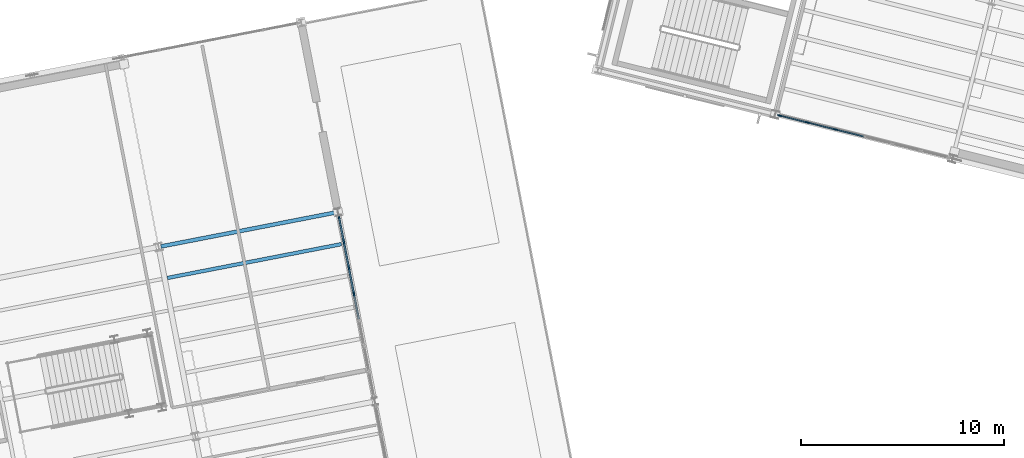
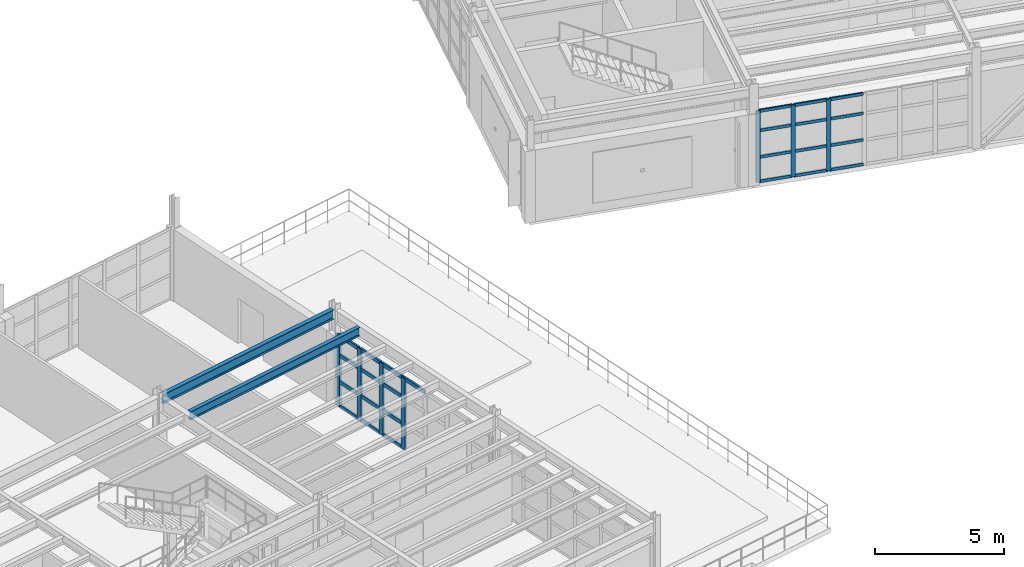
# One storey, part 25 of 109: 32 members, 2 beams, 2 elements without a shape of their own.
"""IFC4 building model written with IfcOpenShell, lengths in metres."""

import ifcopenshell
import ifcopenshell.guid

model = None  # the IFC model being written
_history = None  # IfcOwnerHistory: only IFC2X3 demands one
_inside = {}  # id of a spatial element -> (the spatial element, [elements in it])
_under = {}  # id of a project, library or spatial element -> (it, [spatial elements below it])
_declared = {}  # id of a project -> (the project, [libraries it declares])
_typed = {}  # id of a type object -> (the type object, [elements of that type])
_made_of = {}  # id of a material, layer set ... -> (it, [elements and type objects made of it])


def new_model(schema):
    """Start an empty IFC model of exactly this schema.

    Asked for "IFC4X3", IfcOpenShell would pick the latest addendum, in which some entities
    have other attributes; the version numbers below select the first issue.
    IFC2X3 requires an IfcOwnerHistory on every rooted entity: one is made here for all.
    """
    global model, _history
    if schema == "IFC4X3":
        model = ifcopenshell.file(schema_version=(4, 3, 0, 0))
    else:
        model = ifcopenshell.file(schema=schema)
    _inside.clear()
    _under.clear()
    _declared.clear()
    _typed.clear()
    _made_of.clear()
    _history = None
    if model.schema == "IFC2X3":
        org = make("IfcOrganization", Name="unknown")
        user = make(
            "IfcPersonAndOrganization",
            ThePerson=make("IfcPerson", FamilyName="unknown"),
            TheOrganization=org,
        )
        app = make(
            "IfcApplication",
            ApplicationDeveloper=org,
            Version="unknown",
            ApplicationFullName="unknown",
            ApplicationIdentifier="unknown",
        )
        _history = make(
            "IfcOwnerHistory",
            OwningUser=user,
            OwningApplication=app,
            ChangeAction="ADDED",
            CreationDate=0,
        )
    return model


def make(cls, **values):
    """One entity of the class cls with the attributes given. An attribute that is None is left unset."""
    return model.create_entity(
        cls, **{name: value for name, value in values.items() if value is not None}
    )


def rooted(cls, **values):
    """An entity with a GlobalId (a new one), such as an element, a storey or a relation."""
    return make(cls, GlobalId=ifcopenshell.guid.new(), OwnerHistory=_history, **values)


def si_unit(unit_type, name, prefix=None):
    """IfcSIUnit, for example si_unit("LENGTHUNIT", "METRE", prefix="MILLI")."""
    return make("IfcSIUnit", UnitType=unit_type, Prefix=prefix, Name=name)


def assignment(units):
    """IfcUnitAssignment: the units of a project."""
    return None if units is None else make("IfcUnitAssignment", Units=units)


def point(xyz):
    """IfcCartesianPoint."""
    return None if xyz is None else make("IfcCartesianPoint", Coordinates=xyz)


def direction(xyz):
    """IfcDirection."""
    return None if xyz is None else make("IfcDirection", DirectionRatios=xyz)


def frame(location, z_axis=None, x_axis=None):
    """IfcAxis2Placement3D, a coordinate frame: its origin and axes. An axis left out is left unset."""
    return make(
        "IfcAxis2Placement3D",
        Location=point(location),
        Axis=direction(z_axis),
        RefDirection=direction(x_axis),
    )


def frame_2d(location, x_axis=None):
    """IfcAxis2Placement2D, a coordinate frame in the plane: its origin and x axis."""
    return make(
        "IfcAxis2Placement2D", Location=point(location), RefDirection=direction(x_axis)
    )


def origin():
    """The frame at (0, 0, 0) with its axes left unset."""
    return frame((0.0, 0.0, 0.0))


def origin_2d():
    """The frame at (0, 0) in the plane with its x axis left unset."""
    return frame_2d((0.0, 0.0))


def place(relative_to, where):
    """IfcLocalPlacement: puts the frame where relative to a parent placement (None: the world)."""
    return make(
        "IfcLocalPlacement", PlacementRelTo=relative_to, RelativePlacement=where
    )


def context(
    kind, dimensions, precision=None, world=None, true_north=None, identifier=None
):
    """IfcGeometricRepresentationContext, for example the 3D "Model" context."""
    return make(
        "IfcGeometricRepresentationContext",
        ContextIdentifier=identifier,
        ContextType=kind,
        CoordinateSpaceDimension=dimensions,
        Precision=precision,
        WorldCoordinateSystem=world,
        TrueNorth=true_north,
    )


def subcontext(parent, identifier, kind, view, scale=None):
    """IfcGeometricRepresentationSubContext, for example "Body" below "Model"."""
    return make(
        "IfcGeometricRepresentationSubContext",
        ContextIdentifier=identifier,
        ContextType=kind,
        ParentContext=parent,
        TargetScale=scale,
        TargetView=view,
    )


def project(units=None, contexts=None):
    """IfcProject with its units and contexts."""
    return rooted(
        "IfcProject",
        Name="project",
        RepresentationContexts=contexts,
        UnitsInContext=assignment(units),
    )


def spatial(cls, under=None, at=None, **own):
    """A site, building, storey or space (cls), placed at a placement, below another one or the project."""
    s = rooted(cls, ObjectPlacement=at, **own)
    if under is not None:
        _under.setdefault(under.id(), (under, []))[1].append(s)
    return s


def profile(cls, at=None, kind="AREA", **sizes):
    """A parametric profile (cls). Its sizes go by their IFC names, for example OverallWidth=200.0."""
    return make(cls, ProfileType=kind, Position=at, **sizes)


def rectangle(**sizes):
    """IfcRectangleProfileDef."""
    return profile("IfcRectangleProfileDef", **sizes)


def i_section(**sizes):
    """IfcIShapeProfileDef."""
    return profile("IfcIShapeProfileDef", **sizes)


def extrude(swept, where, along, depth):
    """IfcExtrudedAreaSolid: the profile swept, set in the frame where, extruded along a direction by depth."""
    return make(
        "IfcExtrudedAreaSolid",
        SweptArea=swept,
        Position=where,
        ExtrudedDirection=direction(along),
        Depth=depth,
    )


def shape(context_of_items, identifier, shape_type, items):
    """IfcShapeRepresentation: the items that make up one representation, for example the "Body"."""
    return make(
        "IfcShapeRepresentation",
        ContextOfItems=context_of_items,
        RepresentationIdentifier=identifier,
        RepresentationType=shape_type,
        Items=items,
    )


def material(Name=None, Category=None):
    """IfcMaterial."""
    return make("IfcMaterial", Name=Name, Category=Category)


def layer(
    of_material, thickness, ventilated=None, Name=None, Category=None, Priority=None
):
    """IfcMaterialLayer: one layer of a wall or slab, of a material (None: an air gap)."""
    return make(
        "IfcMaterialLayer",
        Material=of_material,
        LayerThickness=thickness,
        IsVentilated=ventilated,
        Name=Name,
        Category=Category,
        Priority=Priority,
    )


def layer_set(layers, Name=None):
    """IfcMaterialLayerSet."""
    return make("IfcMaterialLayerSet", MaterialLayers=layers, LayerSetName=Name)


def material_profile(
    of_material, cross_section, Name=None, Category=None, Priority=None
):
    """IfcMaterialProfile: a cross section and its material."""
    return make(
        "IfcMaterialProfile",
        Name=Name,
        Material=of_material,
        Profile=cross_section,
        Priority=Priority,
        Category=Category,
    )


def profile_set(profiles, Name=None, composite=None):
    """IfcMaterialProfileSet."""
    return make(
        "IfcMaterialProfileSet",
        Name=Name,
        MaterialProfiles=profiles,
        CompositeProfile=composite,
    )


def made_of(thing, what):
    """Note that an element or type object is made of a material, layer set ...; save() writes the relation."""
    if what is not None:
        _made_of.setdefault(what.id(), (what, []))[1].append(thing)
    return thing


def type_object(cls, material=None, **own):
    """A type object (cls), such as IfcWallType, which elements share."""
    return made_of(rooted(cls, **own), material)


def element(
    cls,
    number,
    at=None,
    inside=None,
    cuts=None,
    type_object=None,
    material=None,
    context=None,
    identifier="Body",
    shape_type=None,
    held_by="IfcProductDefinitionShape",
    body=None,
    shapes=None,
    **own,
):
    """One element of the class cls, such as IfcWall. Its Tag is "e" and its number.

    at: its placement. inside: the storey or other place that contains it. cuts: it is an
    opening in that element (IfcRelVoidsElement). A single representation is given by context,
    identifier, shape_type and body (its items); several are given by shapes. held_by: the class
    of the entity that holds the representations. save() writes the other relations.
    """
    e = rooted(cls, Tag="e%d" % number, ObjectPlacement=at, **own)
    if body is not None:
        shapes = [shape(context, identifier, shape_type, body)]
    if shapes is not None:
        e.Representation = make(held_by, Representations=shapes)
    if inside is not None:
        _inside.setdefault(inside.id(), (inside, []))[1].append(e)
    if cuts is not None:
        rooted(
            "IfcRelVoidsElement", RelatingBuildingElement=cuts, RelatedOpeningElement=e
        )
    if type_object is not None:
        _typed.setdefault(type_object.id(), (type_object, []))[1].append(e)
    return made_of(e, material)


def aggregate(whole, parts):
    """IfcRelAggregates: a whole, such as a stair, and the parts it consists of."""
    return rooted("IfcRelAggregates", RelatingObject=whole, RelatedObjects=parts)


def save(model, path):
    """Write the relations noted so far, then the file.

    IfcRelAggregates (storeys below a building ...), IfcRelContainedInSpatialStructure (elements
    in a storey), IfcRelDefinesByType, IfcRelAssociatesMaterial and IfcRelDeclares: one each for
    every whole, place, type object, material and project.
    """
    for whole, parts in _under.values():
        aggregate(whole, parts)
    for where, things in _inside.values():
        rooted(
            "IfcRelContainedInSpatialStructure",
            RelatedElements=things,
            RelatingStructure=where,
        )
    for kind, things in _typed.values():
        rooted("IfcRelDefinesByType", RelatedObjects=things, RelatingType=kind)
    for what, things in _made_of.values():
        rooted("IfcRelAssociatesMaterial", RelatedObjects=things, RelatingMaterial=what)
    for by, libraries in _declared.values():
        rooted("IfcRelDeclares", RelatingContext=by, RelatedDefinitions=libraries)
    model.write(path)


model = new_model("IFC4")

# Units and contexts
model_context = context("Model", 3, precision=1e-05, world=origin(), true_north=direction((0.0, 1.0)))
body_context = subcontext(model_context, "Body", "Model", "MODEL_VIEW")
ifc_project = project(units=[si_unit("LENGTHUNIT", "METRE"), si_unit("AREAUNIT", "SQUARE_METRE"), si_unit("VOLUMEUNIT", "CUBIC_METRE"), si_unit("PLANEANGLEUNIT", "RADIAN"), si_unit("MASSUNIT", "GRAM", prefix="KILO")], contexts=[model_context])

# Site, building, storey
site_placement = place(None, origin())
site = spatial("IfcSite", under=ifc_project, at=site_placement, CompositionType="ELEMENT")
building_placement = place(site_placement, origin())
building = spatial("IfcBuilding", under=site, at=building_placement, Name="Vireo Bluff Cable Station", CompositionType="ELEMENT")
storey_placement = place(building_placement, frame((0.0, 0.0, 4.800048828125)))
storey = spatial("IfcBuildingStorey", under=building, at=storey_placement, Name="L01", CompositionType="ELEMENT", Elevation=4.800048828125)

# Curtain wall, members
ifc_material_1 = material(Name="Anodized Aluminium 6063-T6", Category="aluminium")
ifc_layer_1 = layer(ifc_material_1, 0.179931640625, Name="Anodized Aluminium 6063-T6")
ifc_layer_set_1 = layer_set([ifc_layer_1], Name="Anodized Aluminium 6063-T6")
curtain_wall_type_1 = type_object("IfcCurtainWallType", Name="CW-UNIT-1500", PredefinedType="USERDEFINED", material=ifc_layer_set_1)
curtain_wall_1_placement = place(storey_placement, origin())
curtain_wall_1 = element("IfcCurtainWall", 1, at=curtain_wall_1_placement, inside=storey, type_object=curtain_wall_type_1, Name="V1 L01 south curtain wall CW-004", ObjectType="UNITISED CURTAIN WALL", PredefinedType="USERDEFINED")
ifc_material_profile_1 = material_profile(ifc_material_1, rectangle(XDim=0.06494140625, YDim=0.179931640625, at=origin_2d()), Name="ALU-M-65X180")
ifc_profile_set_1 = profile_set([ifc_material_profile_1], Name="Anodized Aluminium 6063-T6")
member_type_1 = type_object("IfcMemberType", Name="CWM-01", PredefinedType="MULLION", material=ifc_profile_set_1)
member_1_placement = place(storey_placement, frame((65.7041015625, 35.081787109375, 0.0), z_axis=(0.0, 0.0, 1.0), x_axis=(-0.241921973348, -0.970295706891, 0.0)))
member_1 = element("IfcMember", 2, at=member_1_placement, type_object=member_type_1, Name="CW-004 mullion 5", PredefinedType="MULLION", context=body_context, shape_type="SweptSolid", body=[
    extrude(rectangle(XDim=0.06494140625, YDim=0.179931640625, at=origin_2d()), origin(), (0.0, 0.0, 1.0), 3.39990234375),
])
member_2_placement = place(storey_placement, frame((64.30908203125, 35.4296875, 0.0), z_axis=(0.0, 0.0, 1.0), x_axis=(-0.241921973348, -0.970295706891, 0.0)))
member_2 = element("IfcMember", 3, at=member_2_placement, type_object=member_type_1, Name="CW-004 mullion 6", PredefinedType="MULLION", context=body_context, shape_type="SweptSolid", body=[
    extrude(rectangle(XDim=0.06494140625, YDim=0.179931640625, at=origin_2d()), origin(), (0.0, 0.0, 1.0), 3.39990234375),
])
member_3_placement = place(storey_placement, frame((62.945556640625, 35.76953125, 0.0), z_axis=(0.0, 0.0, 1.0), x_axis=(-0.241921973348, -0.970295706891, 0.0)))
member_3 = element("IfcMember", 4, at=member_3_placement, type_object=member_type_1, Name="CW-004 mullion 7", PredefinedType="MULLION", context=body_context, shape_type="SweptSolid", body=[
    extrude(rectangle(XDim=0.06494140625, YDim=0.179931640625, at=origin_2d()), origin(), (0.0, 0.0, 1.0), 3.39990234375),
])

ifc_layer_2 = layer(ifc_material_1, 0.179931640625, Name="Anodized Aluminium 6063-T6")
ifc_layer_set_2 = layer_set([ifc_layer_2], Name="Anodized Aluminium 6063-T6")
curtain_wall_type_2 = type_object("IfcCurtainWallType", Name="CW-UNIT-1400", PredefinedType="USERDEFINED", material=ifc_layer_set_2)
curtain_wall_2_placement = place(storey_placement, origin())
curtain_wall_2 = element("IfcCurtainWall", 5, at=curtain_wall_2_placement, inside=storey, type_object=curtain_wall_type_2, Name="V5 L01 east curtain wall CW-123", ObjectType="UNITISED CURTAIN WALL", PredefinedType="USERDEFINED")
ifc_material_profile_2 = material_profile(ifc_material_1, rectangle(XDim=0.080078125, YDim=0.239990234375, at=origin_2d()), Name="ALU-M-80X240")
ifc_profile_set_2 = profile_set([ifc_material_profile_2], Name="Anodized Aluminium 6063-T6")
member_type_2 = type_object("IfcMemberType", Name="CWM-04", PredefinedType="MULLION", material=ifc_profile_set_2)
member_4_placement = place(storey_placement, frame((41.255859375, 30.800537109375, 0.0), z_axis=(0.0, 0.0, 1.0), x_axis=(0.981627174053, 0.190809043708, 0.0)))
member_4 = element("IfcMember", 6, at=member_4_placement, type_object=member_type_2, Name="CW-123 mullion 1", PredefinedType="MULLION", context=body_context, shape_type="SweptSolid", body=[
    extrude(rectangle(XDim=0.080078125, YDim=0.239990234375, at=origin_2d()), origin(), (0.0, 0.0, 1.0), 3.39990234375),
])
member_5_placement = place(storey_placement, frame((41.4970703125, 29.55908203125, 0.0), z_axis=(0.0, 0.0, 1.0), x_axis=(0.981627174053, 0.190809043708, 0.0)))
member_5 = element("IfcMember", 7, at=member_5_placement, type_object=member_type_2, Name="CW-123 mullion 2", PredefinedType="MULLION", context=body_context, shape_type="SweptSolid", body=[
    extrude(rectangle(XDim=0.080078125, YDim=0.239990234375, at=origin_2d()), origin(), (0.0, 0.0, 1.0), 3.39990234375),
])
member_6_placement = place(storey_placement, frame((41.74609375, 28.2783203125, 0.0), z_axis=(0.0, 0.0, 1.0), x_axis=(0.981627174053, 0.190809043708, 0.0)))
member_6 = element("IfcMember", 8, at=member_6_placement, type_object=member_type_2, Name="CW-123 mullion 3", PredefinedType="MULLION", context=body_context, shape_type="SweptSolid", body=[
    extrude(rectangle(XDim=0.080078125, YDim=0.239990234375, at=origin_2d()), origin(), (0.0, 0.0, 1.0), 3.39990234375),
])
member_7_placement = place(storey_placement, frame((41.9951171875, 26.997802734375, 0.0), z_axis=(0.0, 0.0, 1.0), x_axis=(0.981627174053, 0.190809043708, 0.0)))
member_7 = element("IfcMember", 9, at=member_7_placement, type_object=member_type_2, Name="CW-123 mullion 4", PredefinedType="MULLION", context=body_context, shape_type="SweptSolid", body=[
    extrude(rectangle(XDim=0.080078125, YDim=0.239990234375, at=origin_2d()), origin(), (0.0, 0.0, 1.0), 3.39990234375),
])

# Member
ifc_material_profile_3 = material_profile(ifc_material_1, rectangle(XDim=0.06494140625, YDim=0.139892578125, at=origin_2d()), Name="ALU-T-65X140")
ifc_profile_set_3 = profile_set([ifc_material_profile_3], Name="Anodized Aluminium 6063-T6")
member_type_3 = type_object("IfcMemberType", Name="CWT-01", PredefinedType="USERDEFINED", material=ifc_profile_set_3)
member_8_placement = place(storey_placement, frame((67.0673828125, 34.741943359375, 0.032470703125), z_axis=(-0.970299244114, 0.241907785884, 0.0), x_axis=(-0.241907785884, -0.970299244114, 0.0)))
member_8 = element("IfcMember", 10, at=member_8_placement, type_object=member_type_3, Name="CW-004 transom 4.1", ObjectType="TRANSOM", PredefinedType="USERDEFINED", context=body_context, shape_type="SweptSolid", body=[
    extrude(rectangle(XDim=0.06494140625, YDim=0.139892578125, at=origin_2d()), origin(), (0.0, 0.0, 1.0), 1.37255859375),
])

member_9_placement = place(storey_placement, frame((67.0673828125, 34.741943359375, 1.18994140625), z_axis=(-0.970299244114, 0.241907785884, 0.0), x_axis=(-0.241907785884, -0.970299244114, 0.0)))
member_9 = element("IfcMember", 11, at=member_9_placement, type_object=member_type_3, Name="CW-004 transom 4.2", ObjectType="TRANSOM", PredefinedType="USERDEFINED", context=body_context, shape_type="SweptSolid", body=[
    extrude(rectangle(XDim=0.06494140625, YDim=0.139892578125, at=origin_2d()), origin(), (0.0, 0.0, 1.0), 1.37255859375),
])

member_10_placement = place(storey_placement, frame((67.0673828125, 34.741943359375, 2.447998046875), z_axis=(-0.970299244114, 0.241907785884, 0.0), x_axis=(-0.241907785884, -0.970299244114, 0.0)))
member_10 = element("IfcMember", 12, at=member_10_placement, type_object=member_type_3, Name="CW-004 transom 4.3", ObjectType="TRANSOM", PredefinedType="USERDEFINED", context=body_context, shape_type="SweptSolid", body=[
    extrude(rectangle(XDim=0.06494140625, YDim=0.139892578125, at=origin_2d()), origin(), (0.0, 0.0, 1.0), 1.37255859375),
])

member_11_placement = place(storey_placement, frame((67.0673828125, 34.741943359375, 3.367431640625), z_axis=(-0.970299244114, 0.241907785884, 0.0), x_axis=(-0.241907785884, -0.970299244114, 0.0)))
member_11 = element("IfcMember", 13, at=member_11_placement, type_object=member_type_3, Name="CW-004 transom 4.4", ObjectType="TRANSOM", PredefinedType="USERDEFINED", context=body_context, shape_type="SweptSolid", body=[
    extrude(rectangle(XDim=0.06494140625, YDim=0.139892578125, at=origin_2d()), origin(), (0.0, 0.0, 1.0), 1.37255859375),
])

member_12_placement = place(storey_placement, frame((65.672607421875, 35.089599609375, 0.032470703125), z_axis=(-0.970267900809, 0.242033470125, 0.0), x_axis=(-0.242033470125, -0.970267900809, 0.0)))
member_12 = element("IfcMember", 14, at=member_12_placement, type_object=member_type_3, Name="CW-004 transom 5.1", ObjectType="TRANSOM", PredefinedType="USERDEFINED", context=body_context, shape_type="SweptSolid", body=[
    extrude(rectangle(XDim=0.06494140625, YDim=0.139892578125, at=origin_2d()), origin(), (0.0, 0.0, 1.0), 1.372802734375),
])

member_13_placement = place(storey_placement, frame((65.672607421875, 35.089599609375, 1.18994140625), z_axis=(-0.970267900809, 0.242033470125, 0.0), x_axis=(-0.242033470125, -0.970267900809, 0.0)))
member_13 = element("IfcMember", 15, at=member_13_placement, type_object=member_type_3, Name="CW-004 transom 5.2", ObjectType="TRANSOM", PredefinedType="USERDEFINED", context=body_context, shape_type="SweptSolid", body=[
    extrude(rectangle(XDim=0.06494140625, YDim=0.139892578125, at=origin_2d()), origin(), (0.0, 0.0, 1.0), 1.372802734375),
])

member_14_placement = place(storey_placement, frame((65.672607421875, 35.089599609375, 2.447998046875), z_axis=(-0.970267900809, 0.242033470125, 0.0), x_axis=(-0.242033470125, -0.970267900809, 0.0)))
member_14 = element("IfcMember", 16, at=member_14_placement, type_object=member_type_3, Name="CW-004 transom 5.3", ObjectType="TRANSOM", PredefinedType="USERDEFINED", context=body_context, shape_type="SweptSolid", body=[
    extrude(rectangle(XDim=0.06494140625, YDim=0.139892578125, at=origin_2d()), origin(), (0.0, 0.0, 1.0), 1.372802734375),
])

member_15_placement = place(storey_placement, frame((65.672607421875, 35.089599609375, 3.367431640625), z_axis=(-0.970267900809, 0.242033470125, 0.0), x_axis=(-0.242033470125, -0.970267900809, 0.0)))
member_15 = element("IfcMember", 17, at=member_15_placement, type_object=member_type_3, Name="CW-004 transom 5.4", ObjectType="TRANSOM", PredefinedType="USERDEFINED", context=body_context, shape_type="SweptSolid", body=[
    extrude(rectangle(XDim=0.06494140625, YDim=0.139892578125, at=origin_2d()), origin(), (0.0, 0.0, 1.0), 1.372802734375),
])

member_16_placement = place(storey_placement, frame((64.277587890625, 35.4375, 0.032470703125), z_axis=(-0.970292345375, 0.241935455249, 0.0), x_axis=(-0.241935455249, -0.970292345375, 0.0)))
member_16 = element("IfcMember", 18, at=member_16_placement, type_object=member_type_3, Name="CW-004 transom 6.1", ObjectType="TRANSOM", PredefinedType="USERDEFINED", context=body_context, shape_type="SweptSolid", body=[
    extrude(rectangle(XDim=0.06494140625, YDim=0.139892578125, at=origin_2d()), origin(), (0.0, 0.0, 1.0), 1.340087890625),
])

member_17_placement = place(storey_placement, frame((64.277587890625, 35.4375, 1.18994140625), z_axis=(-0.970292345375, 0.241935455249, 0.0), x_axis=(-0.241935455249, -0.970292345375, 0.0)))
member_17 = element("IfcMember", 19, at=member_17_placement, type_object=member_type_3, Name="CW-004 transom 6.2", ObjectType="TRANSOM", PredefinedType="USERDEFINED", context=body_context, shape_type="SweptSolid", body=[
    extrude(rectangle(XDim=0.06494140625, YDim=0.139892578125, at=origin_2d()), origin(), (0.0, 0.0, 1.0), 1.340087890625),
])

member_18_placement = place(storey_placement, frame((64.277587890625, 35.4375, 2.447998046875), z_axis=(-0.970292345375, 0.241935455249, 0.0), x_axis=(-0.241935455249, -0.970292345375, 0.0)))
member_18 = element("IfcMember", 20, at=member_18_placement, type_object=member_type_3, Name="CW-004 transom 6.3", ObjectType="TRANSOM", PredefinedType="USERDEFINED", context=body_context, shape_type="SweptSolid", body=[
    extrude(rectangle(XDim=0.06494140625, YDim=0.139892578125, at=origin_2d()), origin(), (0.0, 0.0, 1.0), 1.340087890625),
])

member_19_placement = place(storey_placement, frame((64.277587890625, 35.4375, 3.367431640625), z_axis=(-0.970292345375, 0.241935455249, 0.0), x_axis=(-0.241935455249, -0.970292345375, 0.0)))
member_19 = element("IfcMember", 21, at=member_19_placement, type_object=member_type_3, Name="CW-004 transom 6.4", ObjectType="TRANSOM", PredefinedType="USERDEFINED", context=body_context, shape_type="SweptSolid", body=[
    extrude(rectangle(XDim=0.06494140625, YDim=0.139892578125, at=origin_2d()), origin(), (0.0, 0.0, 1.0), 1.340087890625),
])

aggregate(curtain_wall_1, [member_1, member_2, member_3, member_8, member_9, member_10, member_11, member_12, member_13, member_14, member_15, member_16, member_17, member_18, member_19])

ifc_material_profile_4 = material_profile(ifc_material_1, rectangle(XDim=0.080078125, YDim=0.175048828125, at=origin_2d()), Name="ALU-T-80X175")
ifc_profile_set_4 = profile_set([ifc_material_profile_4], Name="Anodized Aluminium 6063-T6")
member_type_4 = type_object("IfcMemberType", Name="CWT-04", PredefinedType="USERDEFINED", material=ifc_profile_set_4)
member_20_placement = place(storey_placement, frame((41.263427734375, 30.761474609375, 0.0400390625), z_axis=(0.190803477145, -0.981628256067, 0.0), x_axis=(0.981628256067, 0.190803477145, 0.0)))
member_20 = element("IfcMember", 22, at=member_20_placement, type_object=member_type_4, Name="CW-123 transom 1.1", ObjectType="TRANSOM", PredefinedType="USERDEFINED", context=body_context, shape_type="SweptSolid", body=[
    extrude(rectangle(XDim=0.080078125, YDim=0.175048828125, at=origin_2d()), origin(), (0.0, 0.0, 1.0), 1.184814453125),
])

member_21_placement = place(storey_placement, frame((41.263427734375, 30.761474609375, 1.18994140625), z_axis=(0.190803477145, -0.981628256067, 0.0), x_axis=(0.981628256067, 0.190803477145, 0.0)))
member_21 = element("IfcMember", 23, at=member_21_placement, type_object=member_type_4, Name="CW-123 transom 1.2", ObjectType="TRANSOM", PredefinedType="USERDEFINED", context=body_context, shape_type="SweptSolid", body=[
    extrude(rectangle(XDim=0.080078125, YDim=0.175048828125, at=origin_2d()), origin(), (0.0, 0.0, 1.0), 1.184814453125),
])

member_22_placement = place(storey_placement, frame((41.263427734375, 30.761474609375, 2.447998046875), z_axis=(0.190803477145, -0.981628256067, 0.0), x_axis=(0.981628256067, 0.190803477145, 0.0)))
member_22 = element("IfcMember", 24, at=member_22_placement, type_object=member_type_4, Name="CW-123 transom 1.3", ObjectType="TRANSOM", PredefinedType="USERDEFINED", context=body_context, shape_type="SweptSolid", body=[
    extrude(rectangle(XDim=0.080078125, YDim=0.175048828125, at=origin_2d()), origin(), (0.0, 0.0, 1.0), 1.184814453125),
])

member_23_placement = place(storey_placement, frame((41.263427734375, 30.761474609375, 3.35986328125), z_axis=(0.190803477145, -0.981628256067, 0.0), x_axis=(0.981628256067, 0.190803477145, 0.0)))
member_23 = element("IfcMember", 25, at=member_23_placement, type_object=member_type_4, Name="CW-123 transom 1.4", ObjectType="TRANSOM", PredefinedType="USERDEFINED", context=body_context, shape_type="SweptSolid", body=[
    extrude(rectangle(XDim=0.080078125, YDim=0.175048828125, at=origin_2d()), origin(), (0.0, 0.0, 1.0), 1.184814453125),
])

member_24_placement = place(storey_placement, frame((41.5048828125, 29.52001953125, 0.0400390625), z_axis=(0.190746955021, -0.981639240836, 0.0), x_axis=(0.981639240836, 0.190746955021, 0.0)))
member_24 = element("IfcMember", 26, at=member_24_placement, type_object=member_type_4, Name="CW-123 transom 2.1", ObjectType="TRANSOM", PredefinedType="USERDEFINED", context=body_context, shape_type="SweptSolid", body=[
    extrude(rectangle(XDim=0.080078125, YDim=0.175048828125, at=origin_2d()), origin(), (0.0, 0.0, 1.0), 1.224853515625),
])

member_25_placement = place(storey_placement, frame((41.5048828125, 29.52001953125, 1.18994140625), z_axis=(0.190746955021, -0.981639240836, 0.0), x_axis=(0.981639240836, 0.190746955021, 0.0)))
member_25 = element("IfcMember", 27, at=member_25_placement, type_object=member_type_4, Name="CW-123 transom 2.2", ObjectType="TRANSOM", PredefinedType="USERDEFINED", context=body_context, shape_type="SweptSolid", body=[
    extrude(rectangle(XDim=0.080078125, YDim=0.175048828125, at=origin_2d()), origin(), (0.0, 0.0, 1.0), 1.224853515625),
])

member_26_placement = place(storey_placement, frame((41.5048828125, 29.52001953125, 2.447998046875), z_axis=(0.190746955021, -0.981639240836, 0.0), x_axis=(0.981639240836, 0.190746955021, 0.0)))
member_26 = element("IfcMember", 28, at=member_26_placement, type_object=member_type_4, Name="CW-123 transom 2.3", ObjectType="TRANSOM", PredefinedType="USERDEFINED", context=body_context, shape_type="SweptSolid", body=[
    extrude(rectangle(XDim=0.080078125, YDim=0.175048828125, at=origin_2d()), origin(), (0.0, 0.0, 1.0), 1.224853515625),
])

member_27_placement = place(storey_placement, frame((41.5048828125, 29.52001953125, 3.35986328125), z_axis=(0.190746955021, -0.981639240836, 0.0), x_axis=(0.981639240836, 0.190746955021, 0.0)))
member_27 = element("IfcMember", 29, at=member_27_placement, type_object=member_type_4, Name="CW-123 transom 2.4", ObjectType="TRANSOM", PredefinedType="USERDEFINED", context=body_context, shape_type="SweptSolid", body=[
    extrude(rectangle(XDim=0.080078125, YDim=0.175048828125, at=origin_2d()), origin(), (0.0, 0.0, 1.0), 1.224853515625),
])

member_28_placement = place(storey_placement, frame((41.753662109375, 28.2392578125, 0.0400390625), z_axis=(0.190939009625, -0.981601902302, 0.0), x_axis=(0.981601902302, 0.190939009625, 0.0)))
member_28 = element("IfcMember", 30, at=member_28_placement, type_object=member_type_4, Name="CW-123 transom 3.1", ObjectType="TRANSOM", PredefinedType="USERDEFINED", context=body_context, shape_type="SweptSolid", body=[
    extrude(rectangle(XDim=0.080078125, YDim=0.175048828125, at=origin_2d()), origin(), (0.0, 0.0, 1.0), 1.224853515625),
])

member_29_placement = place(storey_placement, frame((41.753662109375, 28.2392578125, 1.18994140625), z_axis=(0.190939009625, -0.981601902302, 0.0), x_axis=(0.981601902302, 0.190939009625, 0.0)))
member_29 = element("IfcMember", 31, at=member_29_placement, type_object=member_type_4, Name="CW-123 transom 3.2", ObjectType="TRANSOM", PredefinedType="USERDEFINED", context=body_context, shape_type="SweptSolid", body=[
    extrude(rectangle(XDim=0.080078125, YDim=0.175048828125, at=origin_2d()), origin(), (0.0, 0.0, 1.0), 1.224853515625),
])

member_30_placement = place(storey_placement, frame((41.753662109375, 28.2392578125, 2.447998046875), z_axis=(0.190939009625, -0.981601902302, 0.0), x_axis=(0.981601902302, 0.190939009625, 0.0)))
member_30 = element("IfcMember", 32, at=member_30_placement, type_object=member_type_4, Name="CW-123 transom 3.3", ObjectType="TRANSOM", PredefinedType="USERDEFINED", context=body_context, shape_type="SweptSolid", body=[
    extrude(rectangle(XDim=0.080078125, YDim=0.175048828125, at=origin_2d()), origin(), (0.0, 0.0, 1.0), 1.224853515625),
])

member_31_placement = place(storey_placement, frame((41.753662109375, 28.2392578125, 3.35986328125), z_axis=(0.190939009625, -0.981601902302, 0.0), x_axis=(0.981601902302, 0.190939009625, 0.0)))
member_31 = element("IfcMember", 33, at=member_31_placement, type_object=member_type_4, Name="CW-123 transom 3.4", ObjectType="TRANSOM", PredefinedType="USERDEFINED", context=body_context, shape_type="SweptSolid", body=[
    extrude(rectangle(XDim=0.080078125, YDim=0.175048828125, at=origin_2d()), origin(), (0.0, 0.0, 1.0), 1.224853515625),
])

member_32_placement = place(storey_placement, frame((42.002685546875, 26.95849609375, 3.35986328125), z_axis=(0.190746955021, -0.981639240836, 0.0), x_axis=(0.981639240836, 0.190746955021, 0.0)))
member_32 = element("IfcMember", 34, at=member_32_placement, type_object=member_type_4, Name="CW-123 transom 4.4", ObjectType="TRANSOM", PredefinedType="USERDEFINED", context=body_context, shape_type="SweptSolid", body=[
    extrude(rectangle(XDim=0.080078125, YDim=0.175048828125, at=origin_2d()), origin(), (0.0, 0.0, 1.0), 1.224853515625),
])

aggregate(curtain_wall_2, [member_4, member_5, member_6, member_7, member_20, member_21, member_22, member_23, member_24, member_25, member_26, member_27, member_28, member_29, member_30, member_31, member_32])

# Beams
ifc_material_2 = material(Name="Steel ASTM A992 Gr. 50", Category="steel")
ifc_material_profile_5 = material_profile(ifc_material_2, i_section(OverallWidth=0.177978515625, OverallDepth=0.404052734375, WebThickness=0.007568359375, FlangeThickness=0.010986328125, FilletRadius=0.010009765625, at=origin_2d()), Name="W16X36")
ifc_profile_set_5 = profile_set([ifc_material_profile_5], Name="Steel ASTM A992 Gr. 50")
beam_type_1 = type_object("IfcBeamType", Name="JST-W16X36", PredefinedType="JOIST", material=ifc_profile_set_5)
beam_1_placement = place(storey_placement, frame((32.818115234375, 27.775146484375, 4.337890625), z_axis=(0.981628064538, 0.190804462503, 0.0), x_axis=(-0.190804462503, 0.981628064538, 0.0)))
element("IfcBeam", 35, at=beam_1_placement, inside=storey, type_object=beam_type_1, Name="V5 L01 composite joist 1248", PredefinedType="JOIST", context=body_context, shape_type="SweptSolid", body=[
    extrude(i_section(OverallWidth=0.177978515625, OverallDepth=0.404052734375, WebThickness=0.007568359375, FlangeThickness=0.010986328125, FilletRadius=0.010009765625, at=origin_2d()), origin(), (0.0, 0.0, 1.0), 8.719970703125),
])
ifc_material_profile_6 = material_profile(ifc_material_2, i_section(OverallWidth=0.19091796875, OverallDepth=0.45703125, WebThickness=0.009033203125, FlangeThickness=0.014404296875, FilletRadius=0.011962890625, at=origin_2d()), Name="W18X50")
ifc_profile_set_6 = profile_set([ifc_material_profile_6], Name="Steel ASTM A992 Gr. 50")
beam_type_2 = type_object("IfcBeamType", Name="SPN-W18X50", PredefinedType="SPANDREL", material=ifc_profile_set_6)
beam_2_placement = place(storey_placement, frame((32.496337890625, 29.32568359375, 4.3115234375), z_axis=(0.981629601573, 0.190796554777, 0.0), x_axis=(-0.190796554777, 0.981629601573, 0.0)))
element("IfcBeam", 36, at=beam_2_placement, inside=storey, type_object=beam_type_2, Name="V5 L01 spandrel 1236", PredefinedType="SPANDREL", context=body_context, shape_type="SweptSolid", body=[
    extrude(i_section(OverallWidth=0.19091796875, OverallDepth=0.45703125, WebThickness=0.009033203125, FlangeThickness=0.014404296875, FilletRadius=0.011962890625, at=origin_2d()), origin(), (0.0, 0.0, 1.0), 8.760009765625),
])

save(model, "model.ifc")
